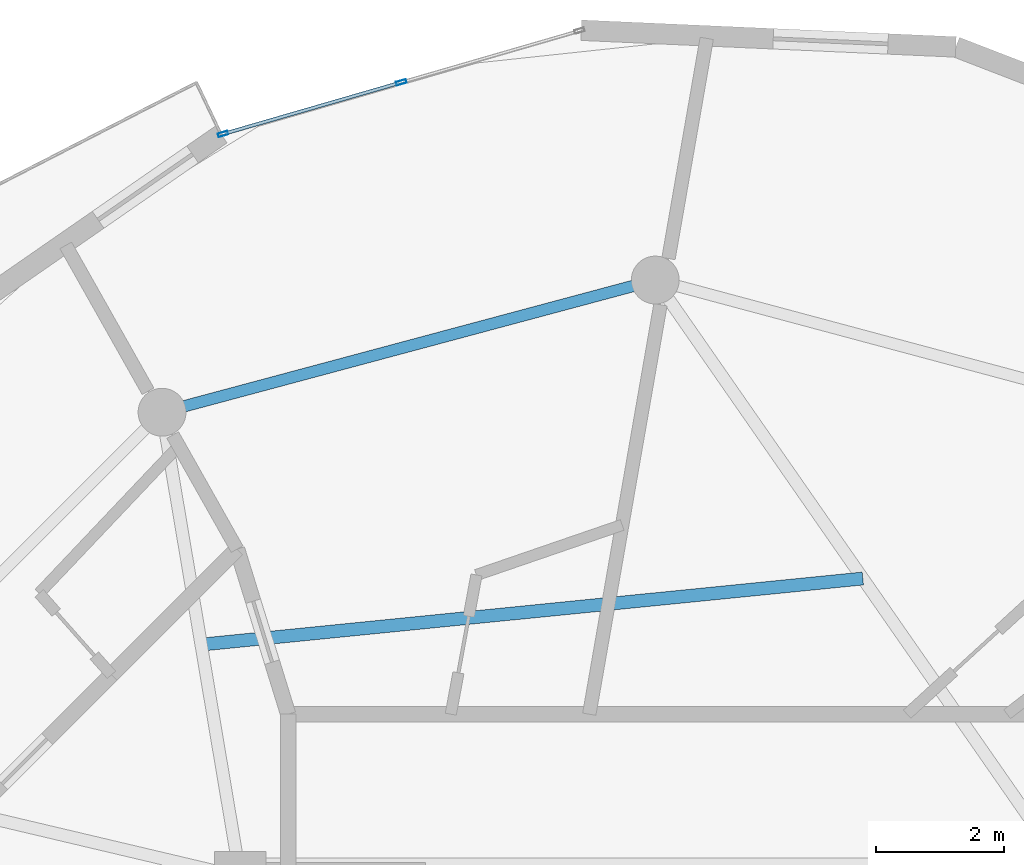
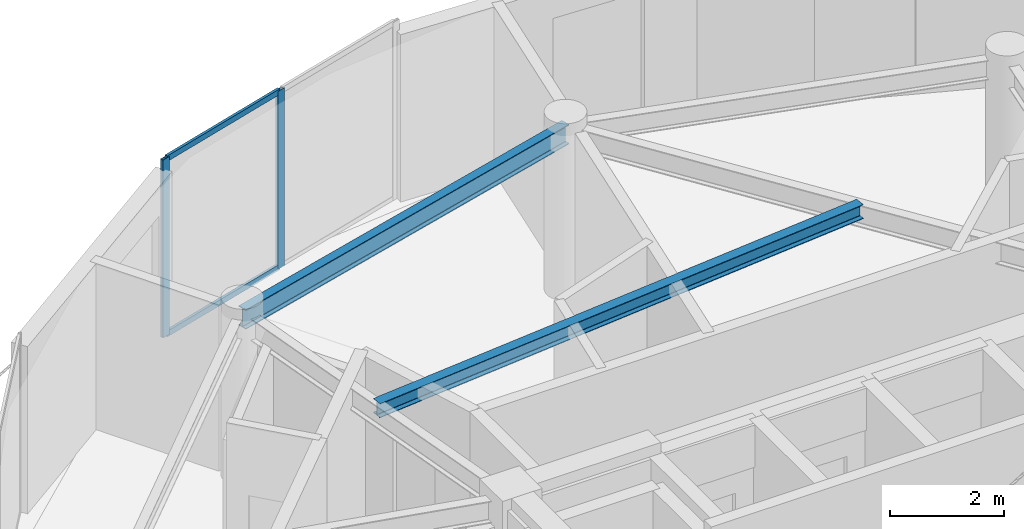
# One storey, part 6 of 16: 4 members, 2 beams, 1 element without a shape of its own.
"""IFC4 building model written with IfcOpenShell, lengths in metres."""

import ifcopenshell
import ifcopenshell.guid

model = None  # the IFC model being written
_history = None  # IfcOwnerHistory: only IFC2X3 demands one
_inside = {}  # id of a spatial element -> (the spatial element, [elements in it])
_under = {}  # id of a project, library or spatial element -> (it, [spatial elements below it])
_declared = {}  # id of a project -> (the project, [libraries it declares])
_typed = {}  # id of a type object -> (the type object, [elements of that type])
_made_of = {}  # id of a material, layer set ... -> (it, [elements and type objects made of it])


def new_model(schema):
    """Start an empty IFC model of exactly this schema.

    Asked for "IFC4X3", IfcOpenShell would pick the latest addendum, in which some entities
    have other attributes; the version numbers below select the first issue.
    IFC2X3 requires an IfcOwnerHistory on every rooted entity: one is made here for all.
    """
    global model, _history
    if schema == "IFC4X3":
        model = ifcopenshell.file(schema_version=(4, 3, 0, 0))
    else:
        model = ifcopenshell.file(schema=schema)
    _inside.clear()
    _under.clear()
    _declared.clear()
    _typed.clear()
    _made_of.clear()
    _history = None
    if model.schema == "IFC2X3":
        org = make("IfcOrganization", Name="unknown")
        user = make(
            "IfcPersonAndOrganization",
            ThePerson=make("IfcPerson", FamilyName="unknown"),
            TheOrganization=org,
        )
        app = make(
            "IfcApplication",
            ApplicationDeveloper=org,
            Version="unknown",
            ApplicationFullName="unknown",
            ApplicationIdentifier="unknown",
        )
        _history = make(
            "IfcOwnerHistory",
            OwningUser=user,
            OwningApplication=app,
            ChangeAction="ADDED",
            CreationDate=0,
        )
    return model


def make(cls, **values):
    """One entity of the class cls with the attributes given. An attribute that is None is left unset."""
    return model.create_entity(
        cls, **{name: value for name, value in values.items() if value is not None}
    )


def rooted(cls, **values):
    """An entity with a GlobalId (a new one), such as an element, a storey or a relation."""
    return make(cls, GlobalId=ifcopenshell.guid.new(), OwnerHistory=_history, **values)


def si_unit(unit_type, name, prefix=None):
    """IfcSIUnit, for example si_unit("LENGTHUNIT", "METRE", prefix="MILLI")."""
    return make("IfcSIUnit", UnitType=unit_type, Prefix=prefix, Name=name)


def assignment(units):
    """IfcUnitAssignment: the units of a project."""
    return None if units is None else make("IfcUnitAssignment", Units=units)


def point(xyz):
    """IfcCartesianPoint."""
    return None if xyz is None else make("IfcCartesianPoint", Coordinates=xyz)


def direction(xyz):
    """IfcDirection."""
    return None if xyz is None else make("IfcDirection", DirectionRatios=xyz)


def frame(location, z_axis=None, x_axis=None):
    """IfcAxis2Placement3D, a coordinate frame: its origin and axes. An axis left out is left unset."""
    return make(
        "IfcAxis2Placement3D",
        Location=point(location),
        Axis=direction(z_axis),
        RefDirection=direction(x_axis),
    )


def frame_2d(location, x_axis=None):
    """IfcAxis2Placement2D, a coordinate frame in the plane: its origin and x axis."""
    return make(
        "IfcAxis2Placement2D", Location=point(location), RefDirection=direction(x_axis)
    )


def origin():
    """The frame at (0, 0, 0) with its axes left unset."""
    return frame((0.0, 0.0, 0.0))


def origin_2d():
    """The frame at (0, 0) in the plane with its x axis left unset."""
    return frame_2d((0.0, 0.0))


def place(relative_to, where):
    """IfcLocalPlacement: puts the frame where relative to a parent placement (None: the world)."""
    return make(
        "IfcLocalPlacement", PlacementRelTo=relative_to, RelativePlacement=where
    )


def context(
    kind, dimensions, precision=None, world=None, true_north=None, identifier=None
):
    """IfcGeometricRepresentationContext, for example the 3D "Model" context."""
    return make(
        "IfcGeometricRepresentationContext",
        ContextIdentifier=identifier,
        ContextType=kind,
        CoordinateSpaceDimension=dimensions,
        Precision=precision,
        WorldCoordinateSystem=world,
        TrueNorth=true_north,
    )


def subcontext(parent, identifier, kind, view, scale=None):
    """IfcGeometricRepresentationSubContext, for example "Body" below "Model"."""
    return make(
        "IfcGeometricRepresentationSubContext",
        ContextIdentifier=identifier,
        ContextType=kind,
        ParentContext=parent,
        TargetScale=scale,
        TargetView=view,
    )


def project(units=None, contexts=None):
    """IfcProject with its units and contexts."""
    return rooted(
        "IfcProject",
        Name="project",
        RepresentationContexts=contexts,
        UnitsInContext=assignment(units),
    )


def spatial(cls, under=None, at=None, **own):
    """A site, building, storey or space (cls), placed at a placement, below another one or the project."""
    s = rooted(cls, ObjectPlacement=at, **own)
    if under is not None:
        _under.setdefault(under.id(), (under, []))[1].append(s)
    return s


def profile(cls, at=None, kind="AREA", **sizes):
    """A parametric profile (cls). Its sizes go by their IFC names, for example OverallWidth=200.0."""
    return make(cls, ProfileType=kind, Position=at, **sizes)


def hollow_rectangle(**sizes):
    """IfcRectangleHollowProfileDef."""
    return profile("IfcRectangleHollowProfileDef", **sizes)


def i_section(**sizes):
    """IfcIShapeProfileDef."""
    return profile("IfcIShapeProfileDef", **sizes)


def extrude(swept, where, along, depth):
    """IfcExtrudedAreaSolid: the profile swept, set in the frame where, extruded along a direction by depth."""
    return make(
        "IfcExtrudedAreaSolid",
        SweptArea=swept,
        Position=where,
        ExtrudedDirection=direction(along),
        Depth=depth,
    )


def shape(context_of_items, identifier, shape_type, items):
    """IfcShapeRepresentation: the items that make up one representation, for example the "Body"."""
    return make(
        "IfcShapeRepresentation",
        ContextOfItems=context_of_items,
        RepresentationIdentifier=identifier,
        RepresentationType=shape_type,
        Items=items,
    )


def source(mapping_origin, context_of_items, identifier, shape_type, items):
    """IfcRepresentationMap: a shape defined once, which mapped items show again and again."""
    return make(
        "IfcRepresentationMap",
        MappingOrigin=mapping_origin,
        MappedRepresentation=shape(context_of_items, identifier, shape_type, items),
    )


def transform(
    local_origin,
    x_axis=None,
    y_axis=None,
    z_axis=None,
    scale=None,
    scale2=None,
    scale3=None,
    uniform=True,
):
    """IfcCartesianTransformationOperator3D, or its non-uniform kind. x_axis, y_axis, z_axis: its Axis1, 2, 3."""
    if uniform:
        return make(
            "IfcCartesianTransformationOperator3D",
            Axis1=direction(x_axis),
            Axis2=direction(y_axis),
            LocalOrigin=point(local_origin),
            Scale=scale,
            Axis3=direction(z_axis),
        )
    return make(
        "IfcCartesianTransformationOperator3DnonUniform",
        Axis1=direction(x_axis),
        Axis2=direction(y_axis),
        LocalOrigin=point(local_origin),
        Scale=scale,
        Axis3=direction(z_axis),
        Scale2=scale2,
        Scale3=scale3,
    )


def mapped(mapping_source, mapping_target):
    """IfcMappedItem: shows the shape of a source again, moved by a transform."""
    return make(
        "IfcMappedItem", MappingSource=mapping_source, MappingTarget=mapping_target
    )


def material(Name=None, Category=None):
    """IfcMaterial."""
    return make("IfcMaterial", Name=Name, Category=Category)


def layer(
    of_material, thickness, ventilated=None, Name=None, Category=None, Priority=None
):
    """IfcMaterialLayer: one layer of a wall or slab, of a material (None: an air gap)."""
    return make(
        "IfcMaterialLayer",
        Material=of_material,
        LayerThickness=thickness,
        IsVentilated=ventilated,
        Name=Name,
        Category=Category,
        Priority=Priority,
    )


def layer_set(layers, Name=None):
    """IfcMaterialLayerSet."""
    return make("IfcMaterialLayerSet", MaterialLayers=layers, LayerSetName=Name)


def material_profile(
    of_material, cross_section, Name=None, Category=None, Priority=None
):
    """IfcMaterialProfile: a cross section and its material."""
    return make(
        "IfcMaterialProfile",
        Name=Name,
        Material=of_material,
        Profile=cross_section,
        Priority=Priority,
        Category=Category,
    )


def profile_set(profiles, Name=None, composite=None):
    """IfcMaterialProfileSet."""
    return make(
        "IfcMaterialProfileSet",
        Name=Name,
        MaterialProfiles=profiles,
        CompositeProfile=composite,
    )


def made_of(thing, what):
    """Note that an element or type object is made of a material, layer set ...; save() writes the relation."""
    if what is not None:
        _made_of.setdefault(what.id(), (what, []))[1].append(thing)
    return thing


def type_object(cls, material=None, **own):
    """A type object (cls), such as IfcWallType, which elements share."""
    return made_of(rooted(cls, **own), material)


def element(
    cls,
    number,
    at=None,
    inside=None,
    cuts=None,
    type_object=None,
    material=None,
    context=None,
    identifier="Body",
    shape_type=None,
    held_by="IfcProductDefinitionShape",
    body=None,
    shapes=None,
    **own,
):
    """One element of the class cls, such as IfcWall. Its Tag is "e" and its number.

    at: its placement. inside: the storey or other place that contains it. cuts: it is an
    opening in that element (IfcRelVoidsElement). A single representation is given by context,
    identifier, shape_type and body (its items); several are given by shapes. held_by: the class
    of the entity that holds the representations. save() writes the other relations.
    """
    e = rooted(cls, Tag="e%d" % number, ObjectPlacement=at, **own)
    if body is not None:
        shapes = [shape(context, identifier, shape_type, body)]
    if shapes is not None:
        e.Representation = make(held_by, Representations=shapes)
    if inside is not None:
        _inside.setdefault(inside.id(), (inside, []))[1].append(e)
    if cuts is not None:
        rooted(
            "IfcRelVoidsElement", RelatingBuildingElement=cuts, RelatedOpeningElement=e
        )
    if type_object is not None:
        _typed.setdefault(type_object.id(), (type_object, []))[1].append(e)
    return made_of(e, material)


def aggregate(whole, parts):
    """IfcRelAggregates: a whole, such as a stair, and the parts it consists of."""
    return rooted("IfcRelAggregates", RelatingObject=whole, RelatedObjects=parts)


def save(model, path):
    """Write the relations noted so far, then the file.

    IfcRelAggregates (storeys below a building ...), IfcRelContainedInSpatialStructure (elements
    in a storey), IfcRelDefinesByType, IfcRelAssociatesMaterial and IfcRelDeclares: one each for
    every whole, place, type object, material and project.
    """
    for whole, parts in _under.values():
        aggregate(whole, parts)
    for where, things in _inside.values():
        rooted(
            "IfcRelContainedInSpatialStructure",
            RelatedElements=things,
            RelatingStructure=where,
        )
    for kind, things in _typed.values():
        rooted("IfcRelDefinesByType", RelatedObjects=things, RelatingType=kind)
    for what, things in _made_of.values():
        rooted("IfcRelAssociatesMaterial", RelatedObjects=things, RelatingMaterial=what)
    for by, libraries in _declared.values():
        rooted("IfcRelDeclares", RelatingContext=by, RelatedDefinitions=libraries)
    model.write(path)


model = new_model("IFC4")

# Units and contexts
model_context = context("Model", 3, precision=1e-05, world=origin(), true_north=direction((0.0, 1.0)))
body_context = subcontext(model_context, "Body", "Model", "MODEL_VIEW")
ifc_project = project(units=[si_unit("LENGTHUNIT", "METRE"), si_unit("AREAUNIT", "SQUARE_METRE"), si_unit("VOLUMEUNIT", "CUBIC_METRE"), si_unit("PLANEANGLEUNIT", "RADIAN"), si_unit("MASSUNIT", "GRAM", prefix="KILO")], contexts=[model_context])

# Site, building, storey
site_placement = place(None, origin())
site = spatial("IfcSite", under=ifc_project, at=site_placement, CompositionType="ELEMENT")
building_placement = place(site_placement, origin())
building = spatial("IfcBuilding", under=site, at=building_placement, Name="Solvirekh Grand Hotel", CompositionType="ELEMENT")
storey_placement = place(building_placement, frame((0.0, 0.0, 258.199951171875)))
storey = spatial("IfcBuildingStorey", under=building, at=storey_placement, Name="L67", CompositionType="ELEMENT", Elevation=258.199951171875)

# Beams
ifc_material_1 = material(Name="Steel S355", Category="steel")
ifc_material_profile_1 = material_profile(ifc_material_1, i_section(OverallWidth=0.202880859375, OverallDepth=0.302978515625, WebThickness=0.008056640625, FlangeThickness=0.012939453125, FilletRadius=0.010009765625, at=origin_2d()), Name="W310X60")
ifc_profile_set_1 = profile_set([ifc_material_profile_1], Name="Steel S355")
beam_type_1 = type_object("IfcBeamType", Name="Joist_Floor_W310", PredefinedType="JOIST", material=ifc_profile_set_1)
beam_1_placement = place(storey_placement, frame((3.25, 10.77490234375, 3.41796875), z_axis=(-0.995049485097, -0.099380693338, 0.0), x_axis=(0.099380693338, -0.995049485097, 0.0)))
element("IfcBeam", 1, at=beam_1_placement, inside=storey, type_object=beam_type_1, Name="L67 secondary composite floor joist 4", PredefinedType="JOIST", context=body_context, shape_type="SweptSolid", body=[
    extrude(i_section(OverallWidth=0.202880859375, OverallDepth=0.302978515625, WebThickness=0.008056640625, FlangeThickness=0.012939453125, FilletRadius=0.010009765625, at=origin_2d()), origin(), (0.0, 0.0, 1.0), 10.41357421875),
])
ifc_material_profile_2 = material_profile(ifc_material_1, i_section(OverallWidth=0.180908203125, OverallDepth=0.4169921875, WebThickness=0.010009765625, FlangeThickness=0.01611328125, FilletRadius=0.011962890625, at=origin_2d()), Name="W410X85")
ifc_profile_set_2 = profile_set([ifc_material_profile_2], Name="Steel S355")
beam_type_2 = type_object("IfcBeamType", Name="Spandrel_Ring_W410", PredefinedType="SPANDREL", material=ifc_profile_set_2)
beam_2_placement = place(storey_placement, frame((0.0, 15.449951171875, 3.361083984375), z_axis=(-0.965921616143, -0.258834757072, 0.0), x_axis=(0.258834757072, -0.965921616143, 0.0)))
element("IfcBeam", 2, at=beam_2_placement, inside=storey, type_object=beam_type_2, Name="L67 perimeter spandrel beam 4", PredefinedType="SPANDREL", context=body_context, shape_type="SweptSolid", body=[
    extrude(i_section(OverallWidth=0.180908203125, OverallDepth=0.4169921875, WebThickness=0.010009765625, FlangeThickness=0.01611328125, FilletRadius=0.011962890625, at=origin_2d()), origin(), (0.0, 0.0, 1.0), 7.99755859375),
])

# Curtain wall, members
ifc_material_2 = material(Name="Anodized Bronze Aluminium 6063-T6", Category="aluminium")
ifc_layer = layer(ifc_material_2, 0.159912109375)
ifc_layer_set = layer_set([ifc_layer], Name="Anodized Bronze Aluminium 6063-T6")
curtain_wall_type = type_object("IfcCurtainWallType", Name="CW_Sys4_HighZoneFlushBronzeCW", PredefinedType="NOTDEFINED", material=ifc_layer_set)
curtain_wall_placement = place(storey_placement, origin())
curtain_wall = element("IfcCurtainWall", 3, at=curtain_wall_placement, inside=storey, type_object=curtain_wall_type, Name="L67 unitised bronze-glass curtain wall CW-L67-C11", PredefinedType="NOTDEFINED")
ifc_material_profile_3 = material_profile(ifc_material_2, hollow_rectangle(XDim=0.06005859375, YDim=0.159912109375, WallThickness=0.0048828125, at=origin_2d()), Name="ALU RHS 160X60X5")
ifc_profile_set_3 = profile_set([ifc_material_profile_3], Name="Anodized Bronze Aluminium 6063-T6")
member_type_1 = type_object("IfcMemberType", Name="CWMullion_Sys4", PredefinedType="MULLION", material=ifc_profile_set_3)
shared_shape_1 = source(origin(), body_context, "Body", "SweptSolid", [
    extrude(hollow_rectangle(XDim=0.06005859375, YDim=0.159912109375, WallThickness=0.0048828125, at=origin_2d()), origin(), (0.0, 0.0, 1.0), 3.800048828125),
])
member_1_placement = place(storey_placement, frame((-3.97900390625, 18.5458984375, 0.0), z_axis=(0.0, 0.0, 1.0), x_axis=(0.278273095965, -0.960501995866, 0.0)))
member_1 = element("IfcMember", 4, at=member_1_placement, type_object=member_type_1, Name="U04 mullion 2", PredefinedType="MULLION", context=body_context, shape_type="MappedRepresentation", body=[
    mapped(shared_shape_1, transform((0.0, 0.0, 0.0), x_axis=(1.0, 0.0, 0.0), y_axis=(0.0, 1.0, 0.0), z_axis=(0.0, 0.0, 1.0), scale=1.0)),
])
member_2_placement = place(storey_placement, frame((-6.770263671875, 17.7373046875, 0.0), z_axis=(0.0, 0.0, 1.0), x_axis=(0.278273095965, -0.960501995866, 0.0)))
member_2 = element("IfcMember", 5, at=member_2_placement, type_object=member_type_1, Name="U04 mullion 3", PredefinedType="MULLION", context=body_context, shape_type="MappedRepresentation", body=[
    mapped(shared_shape_1, transform((0.0, 0.0, 0.0), x_axis=(1.0, 0.0, 0.0), y_axis=(0.0, 1.0, 0.0), z_axis=(0.0, 0.0, 1.0), scale=1.0)),
])
ifc_material_profile_4 = material_profile(ifc_material_2, hollow_rectangle(XDim=0.054931640625, YDim=0.1201171875, WallThickness=0.00390625, at=origin_2d()), Name="ALU RHS 120X55X4")
ifc_profile_set_4 = profile_set([ifc_material_profile_4], Name="Anodized Bronze Aluminium 6063-T6")
member_type_2 = type_object("IfcMemberType", Name="CWTransom_Sys4", PredefinedType="USERDEFINED", material=ifc_profile_set_4)
shared_shape_2 = source(origin(), body_context, "Body", "SweptSolid", [
    extrude(hollow_rectangle(XDim=0.054931640625, YDim=0.1201171875, WallThickness=0.00390625, at=origin_2d()), origin(), (0.0, 0.0, 1.0), 2.845947265625),
])
member_3_placement = place(storey_placement, frame((-4.0078125, 18.53759765625, 0.027587890625), z_axis=(-0.960500930765, -0.278276772296, 0.0), x_axis=(0.278276772296, -0.960500930765, 0.0)))
member_3 = element("IfcMember", 6, at=member_3_placement, type_object=member_type_2, Name="U04 transom 2.1", ObjectType="TRANSOM", PredefinedType="USERDEFINED", context=body_context, shape_type="MappedRepresentation", body=[
    mapped(shared_shape_2, transform((0.0, 0.0, 0.0), x_axis=(1.0, 0.0, 0.0), y_axis=(0.0, 1.0, 0.0), z_axis=(0.0, 0.0, 1.0), scale=1.0)),
])
member_4_placement = place(storey_placement, frame((-4.0078125, 18.53759765625, 3.7724609375), z_axis=(-0.960500930765, -0.278276772296, 0.0), x_axis=(0.278276772296, -0.960500930765, 0.0)))
member_4 = element("IfcMember", 7, at=member_4_placement, type_object=member_type_2, Name="U04 transom 2.2", ObjectType="TRANSOM", PredefinedType="USERDEFINED", context=body_context, shape_type="MappedRepresentation", body=[
    mapped(shared_shape_2, transform((0.0, 0.0, 0.0), x_axis=(1.0, 0.0, 0.0), y_axis=(0.0, 1.0, 0.0), z_axis=(0.0, 0.0, 1.0), scale=1.0)),
])
aggregate(curtain_wall, [member_1, member_2, member_3, member_4])

save(model, "model.ifc")
